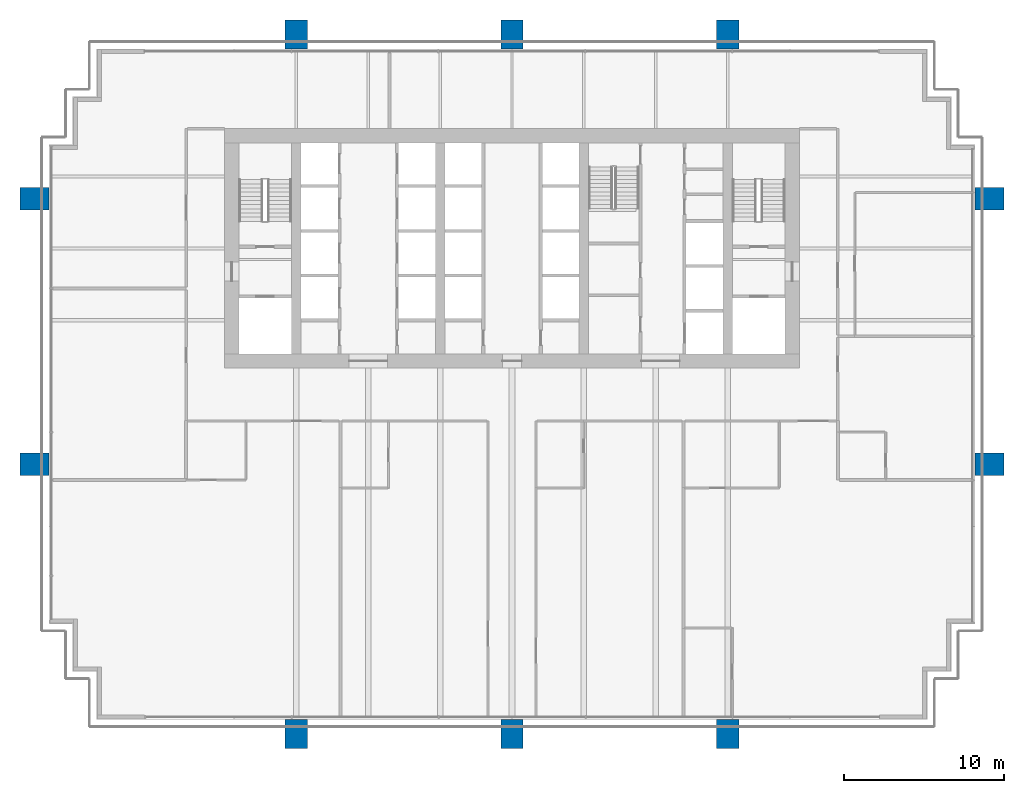
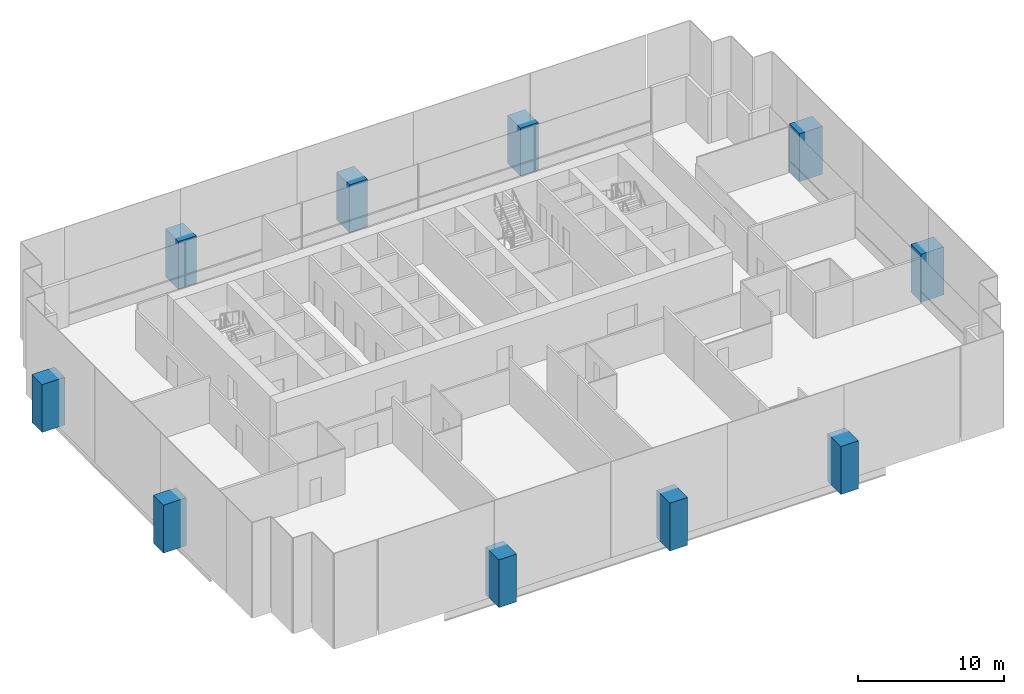
# One storey, part 1 of 16: 10 columns.
"""IFC4 building model written with IfcOpenShell, lengths in metres."""

from ifc_helpers import new_model, si_unit, direction, frame, origin, origin_2d, place, context, subcontext, project, spatial, rectangle, extrude, material, material_profile, profile_set, type_object, element, save


model = new_model("IFC4")

# Units and contexts
model_context = context("Model", 3, precision=1e-05, world=origin(), true_north=direction((0.0, 1.0)))
body_context = subcontext(model_context, "Body", "Model", "MODEL_VIEW")
ifc_project = project(units=[si_unit("LENGTHUNIT", "METRE"), si_unit("AREAUNIT", "SQUARE_METRE"), si_unit("VOLUMEUNIT", "CUBIC_METRE"), si_unit("PLANEANGLEUNIT", "RADIAN"), si_unit("MASSUNIT", "GRAM", prefix="KILO")], contexts=[model_context])

# Site, building, storey
site_placement = place(None, origin())
site = spatial("IfcSite", under=ifc_project, at=site_placement, CompositionType="ELEMENT")
building_placement = place(site_placement, origin())
building = spatial("IfcBuilding", under=site, at=building_placement, Name="Rattan Terrace Tower", CompositionType="ELEMENT")
storey_placement = place(building_placement, frame((0.0, 0.0, 150.10009765625)))
storey = spatial("IfcBuildingStorey", under=building, at=storey_placement, Name="L34", CompositionType="ELEMENT", Elevation=150.10009765625)

# Columns
ifc_material = material(Name="Concrete C50/60", Category="concrete")
ifc_material_profile = material_profile(ifc_material, rectangle(XDim=1.39990234375, YDim=1.800048828125, at=origin_2d()), Name="CFT 1800x1400")
ifc_profile_set = profile_set([ifc_material_profile], Name="Concrete C50/60")
column_type = type_object("IfcColumnType", Name="Frame exoskeleton column CFT 1800x1400", PredefinedType="COLUMN", material=ifc_profile_set)
for number, where, z_axis, x_axis, name in (
    (1, (-13.5, -30.39990234375, -0.2001953125), (0.0, 0.0, 1.0), (1.0, 0.0, 0.0), "exo-L34-001"),
    (2, (0.0, -30.39990234375, -0.2001953125), (0.0, 0.0, 1.0), (1.0, 0.0, 0.0), "exo-L34-002"),
    (3, (13.5, -30.39990234375, -0.2001953125), (0.0, 0.0, 1.0), (1.0, 0.0, 0.0), "exo-L34-003"),
    (4, (-29.89990234375, -13.5, -0.2001953125), (0.0, 0.0, 1.0), (0.0, 1.0, 0.0), "exo-L34-004"),
    (5, (29.89990234375, -13.5, -0.2001953125), (0.0, 0.0, 1.0), (0.0, 1.0, 0.0), "exo-L34-005"),
    (6, (-29.89990234375, 3.10009765625, -0.2001953125), (0.0, 0.0, 1.0), (0.0, 1.0, 0.0), "exo-L34-006"),
    (7, (29.89990234375, 3.10009765625, -0.2001953125), (0.0, 0.0, 1.0), (0.0, 1.0, 0.0), "exo-L34-007"),
    (8, (-13.5, 13.39990234375, -0.2001953125), (0.0, 0.0, 1.0), (1.0, 0.0, 0.0), "exo-L34-008"),
    (9, (0.0, 13.39990234375, -0.2001953125), (0.0, 0.0, 1.0), (1.0, 0.0, 0.0), "exo-L34-009"),
    (10, (13.5, 13.39990234375, -0.2001953125), (0.0, 0.0, 1.0), (1.0, 0.0, 0.0), "exo-L34-010"),
):
    element("IfcColumn", number, at=place(storey_placement, frame(where, z_axis=z_axis, x_axis=x_axis)), inside=storey, type_object=column_type, Name=name, PredefinedType="COLUMN", context=body_context, shape_type="SweptSolid", body=[
        extrude(rectangle(XDim=1.39990234375, YDim=1.800048828125, at=origin_2d()), origin(), (0.0, 0.0, 1.0), 4.0),
    ])

save(model, "model.ifc")
